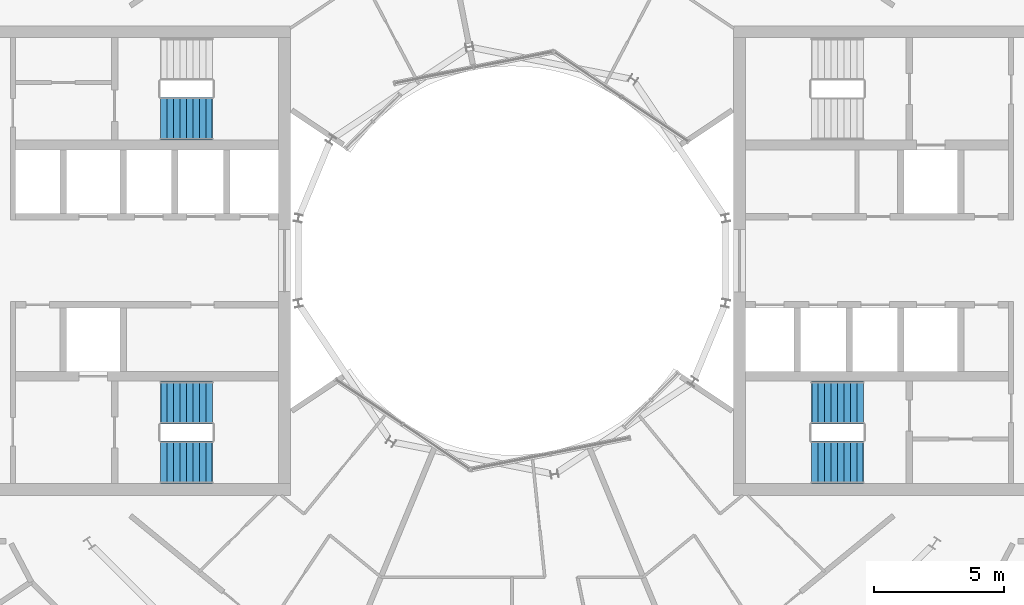
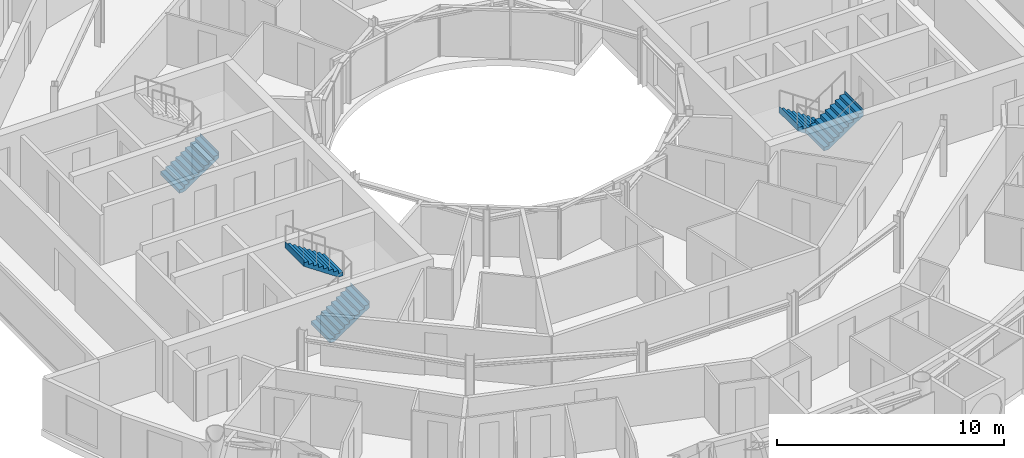
# One storey, part 25 of 27: 5 stair flights, 3 elements without a shape of their own.
"""IFC4 building model written with IfcOpenShell, lengths in metres."""

import ifcopenshell
import ifcopenshell.guid

model = None  # the IFC model being written
_history = None  # IfcOwnerHistory: only IFC2X3 demands one
_inside = {}  # id of a spatial element -> (the spatial element, [elements in it])
_under = {}  # id of a project, library or spatial element -> (it, [spatial elements below it])
_declared = {}  # id of a project -> (the project, [libraries it declares])
_typed = {}  # id of a type object -> (the type object, [elements of that type])
_made_of = {}  # id of a material, layer set ... -> (it, [elements and type objects made of it])


def new_model(schema):
    """Start an empty IFC model of exactly this schema.

    Asked for "IFC4X3", IfcOpenShell would pick the latest addendum, in which some entities
    have other attributes; the version numbers below select the first issue.
    IFC2X3 requires an IfcOwnerHistory on every rooted entity: one is made here for all.
    """
    global model, _history
    if schema == "IFC4X3":
        model = ifcopenshell.file(schema_version=(4, 3, 0, 0))
    else:
        model = ifcopenshell.file(schema=schema)
    _inside.clear()
    _under.clear()
    _declared.clear()
    _typed.clear()
    _made_of.clear()
    _history = None
    if model.schema == "IFC2X3":
        org = make("IfcOrganization", Name="unknown")
        user = make(
            "IfcPersonAndOrganization",
            ThePerson=make("IfcPerson", FamilyName="unknown"),
            TheOrganization=org,
        )
        app = make(
            "IfcApplication",
            ApplicationDeveloper=org,
            Version="unknown",
            ApplicationFullName="unknown",
            ApplicationIdentifier="unknown",
        )
        _history = make(
            "IfcOwnerHistory",
            OwningUser=user,
            OwningApplication=app,
            ChangeAction="ADDED",
            CreationDate=0,
        )
    return model


def make(cls, **values):
    """One entity of the class cls with the attributes given. An attribute that is None is left unset."""
    return model.create_entity(
        cls, **{name: value for name, value in values.items() if value is not None}
    )


def rooted(cls, **values):
    """An entity with a GlobalId (a new one), such as an element, a storey or a relation."""
    return make(cls, GlobalId=ifcopenshell.guid.new(), OwnerHistory=_history, **values)


def si_unit(unit_type, name, prefix=None):
    """IfcSIUnit, for example si_unit("LENGTHUNIT", "METRE", prefix="MILLI")."""
    return make("IfcSIUnit", UnitType=unit_type, Prefix=prefix, Name=name)


def assignment(units):
    """IfcUnitAssignment: the units of a project."""
    return None if units is None else make("IfcUnitAssignment", Units=units)


def point(xyz):
    """IfcCartesianPoint."""
    return None if xyz is None else make("IfcCartesianPoint", Coordinates=xyz)


def direction(xyz):
    """IfcDirection."""
    return None if xyz is None else make("IfcDirection", DirectionRatios=xyz)


def frame(location, z_axis=None, x_axis=None):
    """IfcAxis2Placement3D, a coordinate frame: its origin and axes. An axis left out is left unset."""
    return make(
        "IfcAxis2Placement3D",
        Location=point(location),
        Axis=direction(z_axis),
        RefDirection=direction(x_axis),
    )


def origin():
    """The frame at (0, 0, 0) with its axes left unset."""
    return frame((0.0, 0.0, 0.0))


def place(relative_to, where):
    """IfcLocalPlacement: puts the frame where relative to a parent placement (None: the world)."""
    return make(
        "IfcLocalPlacement", PlacementRelTo=relative_to, RelativePlacement=where
    )


def context(
    kind, dimensions, precision=None, world=None, true_north=None, identifier=None
):
    """IfcGeometricRepresentationContext, for example the 3D "Model" context."""
    return make(
        "IfcGeometricRepresentationContext",
        ContextIdentifier=identifier,
        ContextType=kind,
        CoordinateSpaceDimension=dimensions,
        Precision=precision,
        WorldCoordinateSystem=world,
        TrueNorth=true_north,
    )


def subcontext(parent, identifier, kind, view, scale=None):
    """IfcGeometricRepresentationSubContext, for example "Body" below "Model"."""
    return make(
        "IfcGeometricRepresentationSubContext",
        ContextIdentifier=identifier,
        ContextType=kind,
        ParentContext=parent,
        TargetScale=scale,
        TargetView=view,
    )


def project(units=None, contexts=None):
    """IfcProject with its units and contexts."""
    return rooted(
        "IfcProject",
        Name="project",
        RepresentationContexts=contexts,
        UnitsInContext=assignment(units),
    )


def spatial(cls, under=None, at=None, **own):
    """A site, building, storey or space (cls), placed at a placement, below another one or the project."""
    s = rooted(cls, ObjectPlacement=at, **own)
    if under is not None:
        _under.setdefault(under.id(), (under, []))[1].append(s)
    return s


def point_list(points):
    """IfcCartesianPointList2D or 3D."""
    cls = (
        "IfcCartesianPointList2D" if len(points[0]) == 2 else "IfcCartesianPointList3D"
    )
    return make(cls, CoordList=points)


def triangles(points, corners, closed=None, point_numbers=None):
    """IfcTriangulatedFaceSet: each triangle names its three corners, points numbered from 1."""
    return make(
        "IfcTriangulatedFaceSet",
        Coordinates=point_list(points),
        Closed=closed,
        CoordIndex=corners,
        PnIndex=point_numbers,
    )


def shape(context_of_items, identifier, shape_type, items):
    """IfcShapeRepresentation: the items that make up one representation, for example the "Body"."""
    return make(
        "IfcShapeRepresentation",
        ContextOfItems=context_of_items,
        RepresentationIdentifier=identifier,
        RepresentationType=shape_type,
        Items=items,
    )


def material(Name=None, Category=None):
    """IfcMaterial."""
    return make("IfcMaterial", Name=Name, Category=Category)


def made_of(thing, what):
    """Note that an element or type object is made of a material, layer set ...; save() writes the relation."""
    if what is not None:
        _made_of.setdefault(what.id(), (what, []))[1].append(thing)
    return thing


def type_object(cls, material=None, **own):
    """A type object (cls), such as IfcWallType, which elements share."""
    return made_of(rooted(cls, **own), material)


def element(
    cls,
    number,
    at=None,
    inside=None,
    cuts=None,
    type_object=None,
    material=None,
    context=None,
    identifier="Body",
    shape_type=None,
    held_by="IfcProductDefinitionShape",
    body=None,
    shapes=None,
    **own,
):
    """One element of the class cls, such as IfcWall. Its Tag is "e" and its number.

    at: its placement. inside: the storey or other place that contains it. cuts: it is an
    opening in that element (IfcRelVoidsElement). A single representation is given by context,
    identifier, shape_type and body (its items); several are given by shapes. held_by: the class
    of the entity that holds the representations. save() writes the other relations.
    """
    e = rooted(cls, Tag="e%d" % number, ObjectPlacement=at, **own)
    if body is not None:
        shapes = [shape(context, identifier, shape_type, body)]
    if shapes is not None:
        e.Representation = make(held_by, Representations=shapes)
    if inside is not None:
        _inside.setdefault(inside.id(), (inside, []))[1].append(e)
    if cuts is not None:
        rooted(
            "IfcRelVoidsElement", RelatingBuildingElement=cuts, RelatedOpeningElement=e
        )
    if type_object is not None:
        _typed.setdefault(type_object.id(), (type_object, []))[1].append(e)
    return made_of(e, material)


def aggregate(whole, parts):
    """IfcRelAggregates: a whole, such as a stair, and the parts it consists of."""
    return rooted("IfcRelAggregates", RelatingObject=whole, RelatedObjects=parts)


def save(model, path):
    """Write the relations noted so far, then the file.

    IfcRelAggregates (storeys below a building ...), IfcRelContainedInSpatialStructure (elements
    in a storey), IfcRelDefinesByType, IfcRelAssociatesMaterial and IfcRelDeclares: one each for
    every whole, place, type object, material and project.
    """
    for whole, parts in _under.values():
        aggregate(whole, parts)
    for where, things in _inside.values():
        rooted(
            "IfcRelContainedInSpatialStructure",
            RelatedElements=things,
            RelatingStructure=where,
        )
    for kind, things in _typed.values():
        rooted("IfcRelDefinesByType", RelatedObjects=things, RelatingType=kind)
    for what, things in _made_of.values():
        rooted("IfcRelAssociatesMaterial", RelatedObjects=things, RelatingMaterial=what)
    for by, libraries in _declared.values():
        rooted("IfcRelDeclares", RelatingContext=by, RelatedDefinitions=libraries)
    model.write(path)


model = new_model("IFC4")

# Units and contexts
model_context = context("Model", 3, precision=1e-05, world=origin(), true_north=direction((0.0, 1.0)))
body_context = subcontext(model_context, "Body", "Model", "MODEL_VIEW")
ifc_project = project(units=[si_unit("LENGTHUNIT", "METRE"), si_unit("AREAUNIT", "SQUARE_METRE"), si_unit("VOLUMEUNIT", "CUBIC_METRE"), si_unit("PLANEANGLEUNIT", "RADIAN"), si_unit("MASSUNIT", "GRAM", prefix="KILO")], contexts=[model_context])

# Site, building, storey
site_placement = place(None, origin())
site = spatial("IfcSite", under=ifc_project, at=site_placement, CompositionType="ELEMENT")
building_placement = place(site_placement, origin())
building = spatial("IfcBuilding", under=site, at=building_placement, Name="Maasbend Ring Residences", CompositionType="ELEMENT")
storey_placement = place(building_placement, frame((0.0, 0.0, 199.35009765625)))
storey = spatial("IfcBuildingStorey", under=building, at=storey_placement, Name="L57", CompositionType="ELEMENT", Elevation=199.35009765625)

# Stair, stair flights
ifc_material_1 = material(Name="Concrete C40/50", Category="concrete")
stair_type = type_object("IfcStairType", Name="CORE STAIR 18 RISERS", PredefinedType="HALF_TURN_STAIR", material=ifc_material_1)
stair_1_placement = place(storey_placement, origin())
stair_1 = element("IfcStair", 1, at=stair_1_placement, inside=storey, type_object=stair_type, Name="L57 Exit stair ST-E2", PredefinedType="HALF_TURN_STAIR")
ifc_material_2 = material(Name="Concrete C40/50", Category="concrete")
stair_flight_type = type_object("IfcStairFlightType", Name="CORE STAIR FLIGHT 1650", PredefinedType="STRAIGHT", material=ifc_material_2)
stair_flight_1_placement = place(storey_placement, frame((13.550048828125, -5.47509765625, 0.0), z_axis=(0.0, 0.0, 1.0), x_axis=(-1.0, 0.0, 0.0)))
stair_flight_1 = element("IfcStairFlight", 2, at=stair_flight_1_placement, type_object=stair_flight_type, Name="ST-E2 flight 1", NumberOfRisers=9, NumberOfTreads=8, PredefinedType="STRAIGHT", RiserHeight=0.169444444, TreadLength=0.25, context=body_context, shape_type="Tessellation", body=[
    triangles([(0.24072265625, 0.824951171875, -0.02001953125), (2.0029296875, 0.824951171875, 1.174560546875), (2.0029296875, 0.824951171875, 1.52490234375), (1.989990234375, 0.824951171875, 1.35546875), (1.75, 0.824951171875, 1.35546875), (1.75, 0.824951171875, 1.18603515625), (1.5, 0.824951171875, 1.18603515625), (1.5, 0.824951171875, 1.0166015625), (1.25, 0.824951171875, 1.0166015625), (1.25, 0.824951171875, 0.84716796875), (1.0, 0.824951171875, 0.84716796875), (1.0, 0.824951171875, 0.677734375), (0.75, 0.824951171875, 0.677734375), (0.75, 0.824951171875, 0.50830078125), (0.5, 0.824951171875, 0.50830078125), (0.5, 0.824951171875, 0.3388671875), (0.25, 0.824951171875, 0.3388671875), (0.25, 0.824951171875, 0.16943359375), (0.0, 0.824951171875, 0.16943359375), (0.0, 0.824951171875, 0.0), (-0.0029296875, 0.824951171875, 0.0), (-0.0029296875, 0.824951171875, -0.02001953125), (0.24072265625, 0.27490234375, -0.02001953125), (2.0029296875, 0.27490234375, 1.174560546875), (2.0029296875, 0.27490234375, 1.52490234375), (1.989990234375, 0.27490234375, 1.35546875), (1.75, 0.27490234375, 1.35546875), (1.75, 0.27490234375, 1.18603515625), (1.5, 0.27490234375, 1.18603515625), (1.5, 0.27490234375, 1.0166015625), (1.25, 0.27490234375, 1.0166015625), (1.25, 0.27490234375, 0.84716796875), (1.0, 0.27490234375, 0.84716796875), (1.0, 0.27490234375, 0.677734375), (0.75, 0.27490234375, 0.677734375), (0.75, 0.27490234375, 0.50830078125), (0.5, 0.27490234375, 0.50830078125), (0.5, 0.27490234375, 0.3388671875), (0.25, 0.27490234375, 0.3388671875), (0.25, 0.27490234375, 0.16943359375), (0.0, 0.27490234375, 0.16943359375), (0.0, 0.27490234375, 0.0), (-0.0029296875, 0.27490234375, 0.0), (-0.0029296875, 0.27490234375, -0.02001953125), (0.24072265625, -0.27490234375, -0.02001953125), (2.0029296875, -0.27490234375, 1.174560546875), (2.0029296875, -0.27490234375, 1.52490234375), (1.989990234375, -0.27490234375, 1.35546875), (1.75, -0.27490234375, 1.35546875), (1.75, -0.27490234375, 1.18603515625), (1.5, -0.27490234375, 1.18603515625), (1.5, -0.27490234375, 1.0166015625), (1.25, -0.27490234375, 1.0166015625), (1.25, -0.27490234375, 0.84716796875), (1.0, -0.27490234375, 0.84716796875), (1.0, -0.27490234375, 0.677734375), (0.75, -0.27490234375, 0.677734375), (0.75, -0.27490234375, 0.50830078125), (0.5, -0.27490234375, 0.50830078125), (0.5, -0.27490234375, 0.3388671875), (0.25, -0.27490234375, 0.3388671875), (0.25, -0.27490234375, 0.16943359375), (0.0, -0.27490234375, 0.16943359375), (0.0, -0.27490234375, 0.0), (-0.0029296875, -0.27490234375, 0.0), (-0.0029296875, -0.27490234375, -0.02001953125), (0.24072265625, -0.824951171875, -0.02001953125), (2.0029296875, -0.824951171875, 1.174560546875), (2.0029296875, -0.824951171875, 1.52490234375), (1.989990234375, -0.824951171875, 1.35546875), (1.75, -0.824951171875, 1.35546875), (1.75, -0.824951171875, 1.18603515625), (1.5, -0.824951171875, 1.18603515625), (1.5, -0.824951171875, 1.0166015625), (1.25, -0.824951171875, 1.0166015625), (1.25, -0.824951171875, 0.84716796875), (1.0, -0.824951171875, 0.84716796875), (1.0, -0.824951171875, 0.677734375), (0.75, -0.824951171875, 0.677734375), (0.75, -0.824951171875, 0.50830078125), (0.5, -0.824951171875, 0.50830078125), (0.5, -0.824951171875, 0.3388671875), (0.25, -0.824951171875, 0.3388671875), (0.25, -0.824951171875, 0.16943359375), (0.0, -0.824951171875, 0.16943359375), (0.0, -0.824951171875, 0.0), (-0.0029296875, -0.824951171875, 0.0), (-0.0029296875, -0.824951171875, -0.02001953125)], [[1, 2, 24], [1, 24, 23], [23, 24, 46], [23, 46, 45], [45, 46, 68], [45, 68, 67], [2, 3, 25], [2, 25, 24], [24, 25, 47], [24, 47, 46], [46, 47, 69], [46, 69, 68], [3, 4, 26], [3, 26, 25], [25, 26, 48], [25, 48, 47], [47, 48, 70], [47, 70, 69], [4, 5, 27], [4, 27, 26], [26, 27, 49], [26, 49, 48], [48, 49, 71], [48, 71, 70], [5, 6, 28], [5, 28, 27], [27, 28, 50], [27, 50, 49], [49, 50, 72], [49, 72, 71], [6, 7, 29], [6, 29, 28], [28, 29, 51], [28, 51, 50], [50, 51, 73], [50, 73, 72], [7, 8, 30], [7, 30, 29], [29, 30, 52], [29, 52, 51], [51, 52, 74], [51, 74, 73], [8, 9, 31], [8, 31, 30], [30, 31, 53], [30, 53, 52], [52, 53, 75], [52, 75, 74], [9, 10, 32], [9, 32, 31], [31, 32, 54], [31, 54, 53], [53, 54, 76], [53, 76, 75], [10, 11, 33], [10, 33, 32], [32, 33, 55], [32, 55, 54], [54, 55, 77], [54, 77, 76], [11, 12, 34], [11, 34, 33], [33, 34, 56], [33, 56, 55], [55, 56, 78], [55, 78, 77], [12, 13, 35], [12, 35, 34], [34, 35, 57], [34, 57, 56], [56, 57, 79], [56, 79, 78], [13, 14, 36], [13, 36, 35], [35, 36, 58], [35, 58, 57], [57, 58, 80], [57, 80, 79], [14, 15, 37], [14, 37, 36], [36, 37, 59], [36, 59, 58], [58, 59, 81], [58, 81, 80], [15, 16, 38], [15, 38, 37], [37, 38, 60], [37, 60, 59], [59, 60, 82], [59, 82, 81], [16, 17, 39], [16, 39, 38], [38, 39, 61], [38, 61, 60], [60, 61, 83], [60, 83, 82], [17, 18, 40], [17, 40, 39], [39, 40, 62], [39, 62, 61], [61, 62, 84], [61, 84, 83], [18, 19, 41], [18, 41, 40], [40, 41, 63], [40, 63, 62], [62, 63, 85], [62, 85, 84], [19, 20, 42], [19, 42, 41], [41, 42, 64], [41, 64, 63], [63, 64, 86], [63, 86, 85], [20, 21, 43], [20, 43, 42], [42, 43, 65], [42, 65, 64], [64, 65, 87], [64, 87, 86], [21, 22, 44], [21, 44, 43], [43, 44, 66], [43, 66, 65], [65, 66, 88], [65, 88, 87], [22, 1, 23], [22, 23, 44], [44, 23, 45], [44, 45, 66], [66, 45, 67], [66, 67, 88], [22, 2, 1], [2, 4, 3], [2, 5, 4], [2, 6, 5], [22, 6, 2], [6, 8, 7], [22, 8, 6], [8, 10, 9], [22, 10, 8], [10, 12, 11], [22, 12, 10], [12, 14, 13], [22, 14, 12], [14, 16, 15], [22, 16, 14], [16, 18, 17], [22, 18, 16], [18, 20, 19], [22, 20, 18], [20, 22, 21], [88, 67, 68], [68, 69, 70], [68, 70, 71], [68, 71, 72], [88, 68, 72], [72, 73, 74], [88, 72, 74], [74, 75, 76], [88, 74, 76], [76, 77, 78], [88, 76, 78], [78, 79, 80], [88, 78, 80], [80, 81, 82], [88, 80, 82], [82, 83, 84], [88, 82, 84], [84, 85, 86], [88, 84, 86], [86, 87, 88]], closed=True),
])
stair_flight_2_placement = place(storey_placement, frame((11.550048828125, -7.77490234375, 1.52490234375), z_axis=(0.0, 0.0, 1.0), x_axis=(1.0, 0.0, 0.0)))
stair_flight_2 = element("IfcStairFlight", 3, at=stair_flight_2_placement, type_object=stair_flight_type, Name="ST-E2 flight 2", NumberOfRisers=9, NumberOfTreads=8, PredefinedType="STRAIGHT", RiserHeight=0.169444444, TreadLength=0.25, context=body_context, shape_type="Tessellation", body=[
    triangles([(0.24072265625, 0.824951171875, -0.02001953125), (2.0029296875, 0.824951171875, 1.174560546875), (2.0029296875, 0.824951171875, 1.52490234375), (1.989990234375, 0.824951171875, 1.35546875), (1.75, 0.824951171875, 1.35546875), (1.75, 0.824951171875, 1.18603515625), (1.5, 0.824951171875, 1.18603515625), (1.5, 0.824951171875, 1.0166015625), (1.25, 0.824951171875, 1.0166015625), (1.25, 0.824951171875, 0.84716796875), (1.0, 0.824951171875, 0.84716796875), (1.0, 0.824951171875, 0.677734375), (0.75, 0.824951171875, 0.677734375), (0.75, 0.824951171875, 0.50830078125), (0.5, 0.824951171875, 0.50830078125), (0.5, 0.824951171875, 0.3388671875), (0.25, 0.824951171875, 0.3388671875), (0.25, 0.824951171875, 0.16943359375), (0.0, 0.824951171875, 0.16943359375), (0.0, 0.824951171875, 0.0), (-0.0029296875, 0.824951171875, 0.0), (-0.0029296875, 0.824951171875, -0.02001953125), (0.24072265625, 0.27490234375, -0.02001953125), (2.0029296875, 0.27490234375, 1.174560546875), (2.0029296875, 0.27490234375, 1.52490234375), (1.989990234375, 0.27490234375, 1.35546875), (1.75, 0.27490234375, 1.35546875), (1.75, 0.27490234375, 1.18603515625), (1.5, 0.27490234375, 1.18603515625), (1.5, 0.27490234375, 1.0166015625), (1.25, 0.27490234375, 1.0166015625), (1.25, 0.27490234375, 0.84716796875), (1.0, 0.27490234375, 0.84716796875), (1.0, 0.27490234375, 0.677734375), (0.75, 0.27490234375, 0.677734375), (0.75, 0.27490234375, 0.50830078125), (0.5, 0.27490234375, 0.50830078125), (0.5, 0.27490234375, 0.3388671875), (0.25, 0.27490234375, 0.3388671875), (0.25, 0.27490234375, 0.16943359375), (0.0, 0.27490234375, 0.16943359375), (0.0, 0.27490234375, 0.0), (-0.0029296875, 0.27490234375, 0.0), (-0.0029296875, 0.27490234375, -0.02001953125), (0.24072265625, -0.27490234375, -0.02001953125), (2.0029296875, -0.27490234375, 1.174560546875), (2.0029296875, -0.27490234375, 1.52490234375), (1.989990234375, -0.27490234375, 1.35546875), (1.75, -0.27490234375, 1.35546875), (1.75, -0.27490234375, 1.18603515625), (1.5, -0.27490234375, 1.18603515625), (1.5, -0.27490234375, 1.0166015625), (1.25, -0.27490234375, 1.0166015625), (1.25, -0.27490234375, 0.84716796875), (1.0, -0.27490234375, 0.84716796875), (1.0, -0.27490234375, 0.677734375), (0.75, -0.27490234375, 0.677734375), (0.75, -0.27490234375, 0.50830078125), (0.5, -0.27490234375, 0.50830078125), (0.5, -0.27490234375, 0.3388671875), (0.25, -0.27490234375, 0.3388671875), (0.25, -0.27490234375, 0.16943359375), (0.0, -0.27490234375, 0.16943359375), (0.0, -0.27490234375, 0.0), (-0.0029296875, -0.27490234375, 0.0), (-0.0029296875, -0.27490234375, -0.02001953125), (0.24072265625, -0.824951171875, -0.02001953125), (2.0029296875, -0.824951171875, 1.174560546875), (2.0029296875, -0.824951171875, 1.52490234375), (1.989990234375, -0.824951171875, 1.35546875), (1.75, -0.824951171875, 1.35546875), (1.75, -0.824951171875, 1.18603515625), (1.5, -0.824951171875, 1.18603515625), (1.5, -0.824951171875, 1.0166015625), (1.25, -0.824951171875, 1.0166015625), (1.25, -0.824951171875, 0.84716796875), (1.0, -0.824951171875, 0.84716796875), (1.0, -0.824951171875, 0.677734375), (0.75, -0.824951171875, 0.677734375), (0.75, -0.824951171875, 0.50830078125), (0.5, -0.824951171875, 0.50830078125), (0.5, -0.824951171875, 0.3388671875), (0.25, -0.824951171875, 0.3388671875), (0.25, -0.824951171875, 0.16943359375), (0.0, -0.824951171875, 0.16943359375), (0.0, -0.824951171875, 0.0), (-0.0029296875, -0.824951171875, 0.0), (-0.0029296875, -0.824951171875, -0.02001953125)], [[1, 2, 24], [1, 24, 23], [23, 24, 46], [23, 46, 45], [45, 46, 68], [45, 68, 67], [2, 3, 25], [2, 25, 24], [24, 25, 47], [24, 47, 46], [46, 47, 69], [46, 69, 68], [3, 4, 26], [3, 26, 25], [25, 26, 48], [25, 48, 47], [47, 48, 70], [47, 70, 69], [4, 5, 27], [4, 27, 26], [26, 27, 49], [26, 49, 48], [48, 49, 71], [48, 71, 70], [5, 6, 28], [5, 28, 27], [27, 28, 50], [27, 50, 49], [49, 50, 72], [49, 72, 71], [6, 7, 29], [6, 29, 28], [28, 29, 51], [28, 51, 50], [50, 51, 73], [50, 73, 72], [7, 8, 30], [7, 30, 29], [29, 30, 52], [29, 52, 51], [51, 52, 74], [51, 74, 73], [8, 9, 31], [8, 31, 30], [30, 31, 53], [30, 53, 52], [52, 53, 75], [52, 75, 74], [9, 10, 32], [9, 32, 31], [31, 32, 54], [31, 54, 53], [53, 54, 76], [53, 76, 75], [10, 11, 33], [10, 33, 32], [32, 33, 55], [32, 55, 54], [54, 55, 77], [54, 77, 76], [11, 12, 34], [11, 34, 33], [33, 34, 56], [33, 56, 55], [55, 56, 78], [55, 78, 77], [12, 13, 35], [12, 35, 34], [34, 35, 57], [34, 57, 56], [56, 57, 79], [56, 79, 78], [13, 14, 36], [13, 36, 35], [35, 36, 58], [35, 58, 57], [57, 58, 80], [57, 80, 79], [14, 15, 37], [14, 37, 36], [36, 37, 59], [36, 59, 58], [58, 59, 81], [58, 81, 80], [15, 16, 38], [15, 38, 37], [37, 38, 60], [37, 60, 59], [59, 60, 82], [59, 82, 81], [16, 17, 39], [16, 39, 38], [38, 39, 61], [38, 61, 60], [60, 61, 83], [60, 83, 82], [17, 18, 40], [17, 40, 39], [39, 40, 62], [39, 62, 61], [61, 62, 84], [61, 84, 83], [18, 19, 41], [18, 41, 40], [40, 41, 63], [40, 63, 62], [62, 63, 85], [62, 85, 84], [19, 20, 42], [19, 42, 41], [41, 42, 64], [41, 64, 63], [63, 64, 86], [63, 86, 85], [20, 21, 43], [20, 43, 42], [42, 43, 65], [42, 65, 64], [64, 65, 87], [64, 87, 86], [21, 22, 44], [21, 44, 43], [43, 44, 66], [43, 66, 65], [65, 66, 88], [65, 88, 87], [22, 1, 23], [22, 23, 44], [44, 23, 45], [44, 45, 66], [66, 45, 67], [66, 67, 88], [22, 2, 1], [2, 4, 3], [2, 5, 4], [2, 6, 5], [22, 6, 2], [6, 8, 7], [22, 8, 6], [8, 10, 9], [22, 10, 8], [10, 12, 11], [22, 12, 10], [12, 14, 13], [22, 14, 12], [14, 16, 15], [22, 16, 14], [16, 18, 17], [22, 18, 16], [18, 20, 19], [22, 20, 18], [20, 22, 21], [88, 67, 68], [68, 69, 70], [68, 70, 71], [68, 71, 72], [88, 68, 72], [72, 73, 74], [88, 72, 74], [74, 75, 76], [88, 74, 76], [76, 77, 78], [88, 76, 78], [78, 79, 80], [88, 78, 80], [80, 81, 82], [88, 80, 82], [82, 83, 84], [88, 82, 84], [84, 85, 86], [88, 84, 86], [86, 87, 88]], closed=True),
])
aggregate(stair_1, [stair_flight_1, stair_flight_2])

stair_2_placement = place(storey_placement, origin())
stair_2 = element("IfcStair", 4, at=stair_2_placement, inside=storey, type_object=stair_type, Name="L57 Exit stair ST-W1", PredefinedType="HALF_TURN_STAIR")
stair_flight_3_placement = place(storey_placement, frame((-13.550048828125, -7.77490234375, 0.0), z_axis=(0.0, 0.0, 1.0), x_axis=(1.0, 0.0, 0.0)))
stair_flight_3 = element("IfcStairFlight", 5, at=stair_flight_3_placement, type_object=stair_flight_type, Name="ST-W1 flight 1", NumberOfRisers=9, NumberOfTreads=8, PredefinedType="STRAIGHT", RiserHeight=0.169444444, TreadLength=0.25, context=body_context, shape_type="Tessellation", body=[
    triangles([(0.24072265625, 0.824951171875, -0.02001953125), (2.0029296875, 0.824951171875, 1.174560546875), (2.0029296875, 0.824951171875, 1.52490234375), (1.989990234375, 0.824951171875, 1.35546875), (1.75, 0.824951171875, 1.35546875), (1.75, 0.824951171875, 1.18603515625), (1.5, 0.824951171875, 1.18603515625), (1.5, 0.824951171875, 1.0166015625), (1.25, 0.824951171875, 1.0166015625), (1.25, 0.824951171875, 0.84716796875), (1.0, 0.824951171875, 0.84716796875), (1.0, 0.824951171875, 0.677734375), (0.75, 0.824951171875, 0.677734375), (0.75, 0.824951171875, 0.50830078125), (0.5, 0.824951171875, 0.50830078125), (0.5, 0.824951171875, 0.3388671875), (0.25, 0.824951171875, 0.3388671875), (0.25, 0.824951171875, 0.16943359375), (0.0, 0.824951171875, 0.16943359375), (0.0, 0.824951171875, 0.0), (-0.0029296875, 0.824951171875, 0.0), (-0.0029296875, 0.824951171875, -0.02001953125), (0.24072265625, 0.27490234375, -0.02001953125), (2.0029296875, 0.27490234375, 1.174560546875), (2.0029296875, 0.27490234375, 1.52490234375), (1.989990234375, 0.27490234375, 1.35546875), (1.75, 0.27490234375, 1.35546875), (1.75, 0.27490234375, 1.18603515625), (1.5, 0.27490234375, 1.18603515625), (1.5, 0.27490234375, 1.0166015625), (1.25, 0.27490234375, 1.0166015625), (1.25, 0.27490234375, 0.84716796875), (1.0, 0.27490234375, 0.84716796875), (1.0, 0.27490234375, 0.677734375), (0.75, 0.27490234375, 0.677734375), (0.75, 0.27490234375, 0.50830078125), (0.5, 0.27490234375, 0.50830078125), (0.5, 0.27490234375, 0.3388671875), (0.25, 0.27490234375, 0.3388671875), (0.25, 0.27490234375, 0.16943359375), (0.0, 0.27490234375, 0.16943359375), (0.0, 0.27490234375, 0.0), (-0.0029296875, 0.27490234375, 0.0), (-0.0029296875, 0.27490234375, -0.02001953125), (0.24072265625, -0.27490234375, -0.02001953125), (2.0029296875, -0.27490234375, 1.174560546875), (2.0029296875, -0.27490234375, 1.52490234375), (1.989990234375, -0.27490234375, 1.35546875), (1.75, -0.27490234375, 1.35546875), (1.75, -0.27490234375, 1.18603515625), (1.5, -0.27490234375, 1.18603515625), (1.5, -0.27490234375, 1.0166015625), (1.25, -0.27490234375, 1.0166015625), (1.25, -0.27490234375, 0.84716796875), (1.0, -0.27490234375, 0.84716796875), (1.0, -0.27490234375, 0.677734375), (0.75, -0.27490234375, 0.677734375), (0.75, -0.27490234375, 0.50830078125), (0.5, -0.27490234375, 0.50830078125), (0.5, -0.27490234375, 0.3388671875), (0.25, -0.27490234375, 0.3388671875), (0.25, -0.27490234375, 0.16943359375), (0.0, -0.27490234375, 0.16943359375), (0.0, -0.27490234375, 0.0), (-0.0029296875, -0.27490234375, 0.0), (-0.0029296875, -0.27490234375, -0.02001953125), (0.24072265625, -0.824951171875, -0.02001953125), (2.0029296875, -0.824951171875, 1.174560546875), (2.0029296875, -0.824951171875, 1.52490234375), (1.989990234375, -0.824951171875, 1.35546875), (1.75, -0.824951171875, 1.35546875), (1.75, -0.824951171875, 1.18603515625), (1.5, -0.824951171875, 1.18603515625), (1.5, -0.824951171875, 1.0166015625), (1.25, -0.824951171875, 1.0166015625), (1.25, -0.824951171875, 0.84716796875), (1.0, -0.824951171875, 0.84716796875), (1.0, -0.824951171875, 0.677734375), (0.75, -0.824951171875, 0.677734375), (0.75, -0.824951171875, 0.50830078125), (0.5, -0.824951171875, 0.50830078125), (0.5, -0.824951171875, 0.3388671875), (0.25, -0.824951171875, 0.3388671875), (0.25, -0.824951171875, 0.16943359375), (0.0, -0.824951171875, 0.16943359375), (0.0, -0.824951171875, 0.0), (-0.0029296875, -0.824951171875, 0.0), (-0.0029296875, -0.824951171875, -0.02001953125)], [[1, 2, 24], [1, 24, 23], [23, 24, 46], [23, 46, 45], [45, 46, 68], [45, 68, 67], [2, 3, 25], [2, 25, 24], [24, 25, 47], [24, 47, 46], [46, 47, 69], [46, 69, 68], [3, 4, 26], [3, 26, 25], [25, 26, 48], [25, 48, 47], [47, 48, 70], [47, 70, 69], [4, 5, 27], [4, 27, 26], [26, 27, 49], [26, 49, 48], [48, 49, 71], [48, 71, 70], [5, 6, 28], [5, 28, 27], [27, 28, 50], [27, 50, 49], [49, 50, 72], [49, 72, 71], [6, 7, 29], [6, 29, 28], [28, 29, 51], [28, 51, 50], [50, 51, 73], [50, 73, 72], [7, 8, 30], [7, 30, 29], [29, 30, 52], [29, 52, 51], [51, 52, 74], [51, 74, 73], [8, 9, 31], [8, 31, 30], [30, 31, 53], [30, 53, 52], [52, 53, 75], [52, 75, 74], [9, 10, 32], [9, 32, 31], [31, 32, 54], [31, 54, 53], [53, 54, 76], [53, 76, 75], [10, 11, 33], [10, 33, 32], [32, 33, 55], [32, 55, 54], [54, 55, 77], [54, 77, 76], [11, 12, 34], [11, 34, 33], [33, 34, 56], [33, 56, 55], [55, 56, 78], [55, 78, 77], [12, 13, 35], [12, 35, 34], [34, 35, 57], [34, 57, 56], [56, 57, 79], [56, 79, 78], [13, 14, 36], [13, 36, 35], [35, 36, 58], [35, 58, 57], [57, 58, 80], [57, 80, 79], [14, 15, 37], [14, 37, 36], [36, 37, 59], [36, 59, 58], [58, 59, 81], [58, 81, 80], [15, 16, 38], [15, 38, 37], [37, 38, 60], [37, 60, 59], [59, 60, 82], [59, 82, 81], [16, 17, 39], [16, 39, 38], [38, 39, 61], [38, 61, 60], [60, 61, 83], [60, 83, 82], [17, 18, 40], [17, 40, 39], [39, 40, 62], [39, 62, 61], [61, 62, 84], [61, 84, 83], [18, 19, 41], [18, 41, 40], [40, 41, 63], [40, 63, 62], [62, 63, 85], [62, 85, 84], [19, 20, 42], [19, 42, 41], [41, 42, 64], [41, 64, 63], [63, 64, 86], [63, 86, 85], [20, 21, 43], [20, 43, 42], [42, 43, 65], [42, 65, 64], [64, 65, 87], [64, 87, 86], [21, 22, 44], [21, 44, 43], [43, 44, 66], [43, 66, 65], [65, 66, 88], [65, 88, 87], [22, 1, 23], [22, 23, 44], [44, 23, 45], [44, 45, 66], [66, 45, 67], [66, 67, 88], [22, 2, 1], [2, 4, 3], [2, 5, 4], [2, 6, 5], [22, 6, 2], [6, 8, 7], [22, 8, 6], [8, 10, 9], [22, 10, 8], [10, 12, 11], [22, 12, 10], [12, 14, 13], [22, 14, 12], [14, 16, 15], [22, 16, 14], [16, 18, 17], [22, 18, 16], [18, 20, 19], [22, 20, 18], [20, 22, 21], [88, 67, 68], [68, 69, 70], [68, 70, 71], [68, 71, 72], [88, 68, 72], [72, 73, 74], [88, 72, 74], [74, 75, 76], [88, 74, 76], [76, 77, 78], [88, 76, 78], [78, 79, 80], [88, 78, 80], [80, 81, 82], [88, 80, 82], [82, 83, 84], [88, 82, 84], [84, 85, 86], [88, 84, 86], [86, 87, 88]], closed=True),
])
stair_flight_4_placement = place(storey_placement, frame((-11.550048828125, -5.47509765625, 1.52490234375), z_axis=(0.0, 0.0, 1.0), x_axis=(-1.0, 0.0, 0.0)))
stair_flight_4 = element("IfcStairFlight", 6, at=stair_flight_4_placement, type_object=stair_flight_type, Name="ST-W1 flight 2", NumberOfRisers=9, NumberOfTreads=8, PredefinedType="STRAIGHT", RiserHeight=0.169444444, TreadLength=0.25, context=body_context, shape_type="Tessellation", body=[
    triangles([(0.24072265625, 0.824951171875, -0.02001953125), (2.0029296875, 0.824951171875, 1.174560546875), (2.0029296875, 0.824951171875, 1.52490234375), (1.989990234375, 0.824951171875, 1.35546875), (1.75, 0.824951171875, 1.35546875), (1.75, 0.824951171875, 1.18603515625), (1.5, 0.824951171875, 1.18603515625), (1.5, 0.824951171875, 1.0166015625), (1.25, 0.824951171875, 1.0166015625), (1.25, 0.824951171875, 0.84716796875), (1.0, 0.824951171875, 0.84716796875), (1.0, 0.824951171875, 0.677734375), (0.75, 0.824951171875, 0.677734375), (0.75, 0.824951171875, 0.50830078125), (0.5, 0.824951171875, 0.50830078125), (0.5, 0.824951171875, 0.3388671875), (0.25, 0.824951171875, 0.3388671875), (0.25, 0.824951171875, 0.16943359375), (0.0, 0.824951171875, 0.16943359375), (0.0, 0.824951171875, 0.0), (-0.0029296875, 0.824951171875, 0.0), (-0.0029296875, 0.824951171875, -0.02001953125), (0.24072265625, 0.27490234375, -0.02001953125), (2.0029296875, 0.27490234375, 1.174560546875), (2.0029296875, 0.27490234375, 1.52490234375), (1.989990234375, 0.27490234375, 1.35546875), (1.75, 0.27490234375, 1.35546875), (1.75, 0.27490234375, 1.18603515625), (1.5, 0.27490234375, 1.18603515625), (1.5, 0.27490234375, 1.0166015625), (1.25, 0.27490234375, 1.0166015625), (1.25, 0.27490234375, 0.84716796875), (1.0, 0.27490234375, 0.84716796875), (1.0, 0.27490234375, 0.677734375), (0.75, 0.27490234375, 0.677734375), (0.75, 0.27490234375, 0.50830078125), (0.5, 0.27490234375, 0.50830078125), (0.5, 0.27490234375, 0.3388671875), (0.25, 0.27490234375, 0.3388671875), (0.25, 0.27490234375, 0.16943359375), (0.0, 0.27490234375, 0.16943359375), (0.0, 0.27490234375, 0.0), (-0.0029296875, 0.27490234375, 0.0), (-0.0029296875, 0.27490234375, -0.02001953125), (0.24072265625, -0.27490234375, -0.02001953125), (2.0029296875, -0.27490234375, 1.174560546875), (2.0029296875, -0.27490234375, 1.52490234375), (1.989990234375, -0.27490234375, 1.35546875), (1.75, -0.27490234375, 1.35546875), (1.75, -0.27490234375, 1.18603515625), (1.5, -0.27490234375, 1.18603515625), (1.5, -0.27490234375, 1.0166015625), (1.25, -0.27490234375, 1.0166015625), (1.25, -0.27490234375, 0.84716796875), (1.0, -0.27490234375, 0.84716796875), (1.0, -0.27490234375, 0.677734375), (0.75, -0.27490234375, 0.677734375), (0.75, -0.27490234375, 0.50830078125), (0.5, -0.27490234375, 0.50830078125), (0.5, -0.27490234375, 0.3388671875), (0.25, -0.27490234375, 0.3388671875), (0.25, -0.27490234375, 0.16943359375), (0.0, -0.27490234375, 0.16943359375), (0.0, -0.27490234375, 0.0), (-0.0029296875, -0.27490234375, 0.0), (-0.0029296875, -0.27490234375, -0.02001953125), (0.24072265625, -0.824951171875, -0.02001953125), (2.0029296875, -0.824951171875, 1.174560546875), (2.0029296875, -0.824951171875, 1.52490234375), (1.989990234375, -0.824951171875, 1.35546875), (1.75, -0.824951171875, 1.35546875), (1.75, -0.824951171875, 1.18603515625), (1.5, -0.824951171875, 1.18603515625), (1.5, -0.824951171875, 1.0166015625), (1.25, -0.824951171875, 1.0166015625), (1.25, -0.824951171875, 0.84716796875), (1.0, -0.824951171875, 0.84716796875), (1.0, -0.824951171875, 0.677734375), (0.75, -0.824951171875, 0.677734375), (0.75, -0.824951171875, 0.50830078125), (0.5, -0.824951171875, 0.50830078125), (0.5, -0.824951171875, 0.3388671875), (0.25, -0.824951171875, 0.3388671875), (0.25, -0.824951171875, 0.16943359375), (0.0, -0.824951171875, 0.16943359375), (0.0, -0.824951171875, 0.0), (-0.0029296875, -0.824951171875, 0.0), (-0.0029296875, -0.824951171875, -0.02001953125)], [[1, 2, 24], [1, 24, 23], [23, 24, 46], [23, 46, 45], [45, 46, 68], [45, 68, 67], [2, 3, 25], [2, 25, 24], [24, 25, 47], [24, 47, 46], [46, 47, 69], [46, 69, 68], [3, 4, 26], [3, 26, 25], [25, 26, 48], [25, 48, 47], [47, 48, 70], [47, 70, 69], [4, 5, 27], [4, 27, 26], [26, 27, 49], [26, 49, 48], [48, 49, 71], [48, 71, 70], [5, 6, 28], [5, 28, 27], [27, 28, 50], [27, 50, 49], [49, 50, 72], [49, 72, 71], [6, 7, 29], [6, 29, 28], [28, 29, 51], [28, 51, 50], [50, 51, 73], [50, 73, 72], [7, 8, 30], [7, 30, 29], [29, 30, 52], [29, 52, 51], [51, 52, 74], [51, 74, 73], [8, 9, 31], [8, 31, 30], [30, 31, 53], [30, 53, 52], [52, 53, 75], [52, 75, 74], [9, 10, 32], [9, 32, 31], [31, 32, 54], [31, 54, 53], [53, 54, 76], [53, 76, 75], [10, 11, 33], [10, 33, 32], [32, 33, 55], [32, 55, 54], [54, 55, 77], [54, 77, 76], [11, 12, 34], [11, 34, 33], [33, 34, 56], [33, 56, 55], [55, 56, 78], [55, 78, 77], [12, 13, 35], [12, 35, 34], [34, 35, 57], [34, 57, 56], [56, 57, 79], [56, 79, 78], [13, 14, 36], [13, 36, 35], [35, 36, 58], [35, 58, 57], [57, 58, 80], [57, 80, 79], [14, 15, 37], [14, 37, 36], [36, 37, 59], [36, 59, 58], [58, 59, 81], [58, 81, 80], [15, 16, 38], [15, 38, 37], [37, 38, 60], [37, 60, 59], [59, 60, 82], [59, 82, 81], [16, 17, 39], [16, 39, 38], [38, 39, 61], [38, 61, 60], [60, 61, 83], [60, 83, 82], [17, 18, 40], [17, 40, 39], [39, 40, 62], [39, 62, 61], [61, 62, 84], [61, 84, 83], [18, 19, 41], [18, 41, 40], [40, 41, 63], [40, 63, 62], [62, 63, 85], [62, 85, 84], [19, 20, 42], [19, 42, 41], [41, 42, 64], [41, 64, 63], [63, 64, 86], [63, 86, 85], [20, 21, 43], [20, 43, 42], [42, 43, 65], [42, 65, 64], [64, 65, 87], [64, 87, 86], [21, 22, 44], [21, 44, 43], [43, 44, 66], [43, 66, 65], [65, 66, 88], [65, 88, 87], [22, 1, 23], [22, 23, 44], [44, 23, 45], [44, 45, 66], [66, 45, 67], [66, 67, 88], [22, 2, 1], [2, 4, 3], [2, 5, 4], [2, 6, 5], [22, 6, 2], [6, 8, 7], [22, 8, 6], [8, 10, 9], [22, 10, 8], [10, 12, 11], [22, 12, 10], [12, 14, 13], [22, 14, 12], [14, 16, 15], [22, 16, 14], [16, 18, 17], [22, 18, 16], [18, 20, 19], [22, 20, 18], [20, 22, 21], [88, 67, 68], [68, 69, 70], [68, 70, 71], [68, 71, 72], [88, 68, 72], [72, 73, 74], [88, 72, 74], [74, 75, 76], [88, 74, 76], [76, 77, 78], [88, 76, 78], [78, 79, 80], [88, 78, 80], [80, 81, 82], [88, 80, 82], [82, 83, 84], [88, 82, 84], [84, 85, 86], [88, 84, 86], [86, 87, 88]], closed=True),
])
aggregate(stair_2, [stair_flight_3, stair_flight_4])

# Stair, stair flight
stair_3_placement = place(storey_placement, origin())
stair_3 = element("IfcStair", 7, at=stair_3_placement, inside=storey, type_object=stair_type, Name="L57 Exit stair ST-W2", PredefinedType="HALF_TURN_STAIR")
stair_flight_5_placement = place(storey_placement, frame((-13.550048828125, 5.47509765625, 0.0), z_axis=(0.0, 0.0, 1.0), x_axis=(1.0, 0.0, 0.0)))
stair_flight_5 = element("IfcStairFlight", 8, at=stair_flight_5_placement, type_object=stair_flight_type, Name="ST-W2 flight 1", NumberOfRisers=9, NumberOfTreads=8, PredefinedType="STRAIGHT", RiserHeight=0.169444444, TreadLength=0.25, context=body_context, shape_type="Tessellation", body=[
    triangles([(0.24072265625, 0.824951171875, -0.02001953125), (2.0029296875, 0.824951171875, 1.174560546875), (2.0029296875, 0.824951171875, 1.52490234375), (1.989990234375, 0.824951171875, 1.35546875), (1.75, 0.824951171875, 1.35546875), (1.75, 0.824951171875, 1.18603515625), (1.5, 0.824951171875, 1.18603515625), (1.5, 0.824951171875, 1.0166015625), (1.25, 0.824951171875, 1.0166015625), (1.25, 0.824951171875, 0.84716796875), (1.0, 0.824951171875, 0.84716796875), (1.0, 0.824951171875, 0.677734375), (0.75, 0.824951171875, 0.677734375), (0.75, 0.824951171875, 0.50830078125), (0.5, 0.824951171875, 0.50830078125), (0.5, 0.824951171875, 0.3388671875), (0.25, 0.824951171875, 0.3388671875), (0.25, 0.824951171875, 0.16943359375), (0.0, 0.824951171875, 0.16943359375), (0.0, 0.824951171875, 0.0), (-0.0029296875, 0.824951171875, 0.0), (-0.0029296875, 0.824951171875, -0.02001953125), (0.24072265625, 0.27490234375, -0.02001953125), (2.0029296875, 0.27490234375, 1.174560546875), (2.0029296875, 0.27490234375, 1.52490234375), (1.989990234375, 0.27490234375, 1.35546875), (1.75, 0.27490234375, 1.35546875), (1.75, 0.27490234375, 1.18603515625), (1.5, 0.27490234375, 1.18603515625), (1.5, 0.27490234375, 1.0166015625), (1.25, 0.27490234375, 1.0166015625), (1.25, 0.27490234375, 0.84716796875), (1.0, 0.27490234375, 0.84716796875), (1.0, 0.27490234375, 0.677734375), (0.75, 0.27490234375, 0.677734375), (0.75, 0.27490234375, 0.50830078125), (0.5, 0.27490234375, 0.50830078125), (0.5, 0.27490234375, 0.3388671875), (0.25, 0.27490234375, 0.3388671875), (0.25, 0.27490234375, 0.16943359375), (0.0, 0.27490234375, 0.16943359375), (0.0, 0.27490234375, 0.0), (-0.0029296875, 0.27490234375, 0.0), (-0.0029296875, 0.27490234375, -0.02001953125), (0.24072265625, -0.27490234375, -0.02001953125), (2.0029296875, -0.27490234375, 1.174560546875), (2.0029296875, -0.27490234375, 1.52490234375), (1.989990234375, -0.27490234375, 1.35546875), (1.75, -0.27490234375, 1.35546875), (1.75, -0.27490234375, 1.18603515625), (1.5, -0.27490234375, 1.18603515625), (1.5, -0.27490234375, 1.0166015625), (1.25, -0.27490234375, 1.0166015625), (1.25, -0.27490234375, 0.84716796875), (1.0, -0.27490234375, 0.84716796875), (1.0, -0.27490234375, 0.677734375), (0.75, -0.27490234375, 0.677734375), (0.75, -0.27490234375, 0.50830078125), (0.5, -0.27490234375, 0.50830078125), (0.5, -0.27490234375, 0.3388671875), (0.25, -0.27490234375, 0.3388671875), (0.25, -0.27490234375, 0.16943359375), (0.0, -0.27490234375, 0.16943359375), (0.0, -0.27490234375, 0.0), (-0.0029296875, -0.27490234375, 0.0), (-0.0029296875, -0.27490234375, -0.02001953125), (0.24072265625, -0.824951171875, -0.02001953125), (2.0029296875, -0.824951171875, 1.174560546875), (2.0029296875, -0.824951171875, 1.52490234375), (1.989990234375, -0.824951171875, 1.35546875), (1.75, -0.824951171875, 1.35546875), (1.75, -0.824951171875, 1.18603515625), (1.5, -0.824951171875, 1.18603515625), (1.5, -0.824951171875, 1.0166015625), (1.25, -0.824951171875, 1.0166015625), (1.25, -0.824951171875, 0.84716796875), (1.0, -0.824951171875, 0.84716796875), (1.0, -0.824951171875, 0.677734375), (0.75, -0.824951171875, 0.677734375), (0.75, -0.824951171875, 0.50830078125), (0.5, -0.824951171875, 0.50830078125), (0.5, -0.824951171875, 0.3388671875), (0.25, -0.824951171875, 0.3388671875), (0.25, -0.824951171875, 0.16943359375), (0.0, -0.824951171875, 0.16943359375), (0.0, -0.824951171875, 0.0), (-0.0029296875, -0.824951171875, 0.0), (-0.0029296875, -0.824951171875, -0.02001953125)], [[1, 2, 24], [1, 24, 23], [23, 24, 46], [23, 46, 45], [45, 46, 68], [45, 68, 67], [2, 3, 25], [2, 25, 24], [24, 25, 47], [24, 47, 46], [46, 47, 69], [46, 69, 68], [3, 4, 26], [3, 26, 25], [25, 26, 48], [25, 48, 47], [47, 48, 70], [47, 70, 69], [4, 5, 27], [4, 27, 26], [26, 27, 49], [26, 49, 48], [48, 49, 71], [48, 71, 70], [5, 6, 28], [5, 28, 27], [27, 28, 50], [27, 50, 49], [49, 50, 72], [49, 72, 71], [6, 7, 29], [6, 29, 28], [28, 29, 51], [28, 51, 50], [50, 51, 73], [50, 73, 72], [7, 8, 30], [7, 30, 29], [29, 30, 52], [29, 52, 51], [51, 52, 74], [51, 74, 73], [8, 9, 31], [8, 31, 30], [30, 31, 53], [30, 53, 52], [52, 53, 75], [52, 75, 74], [9, 10, 32], [9, 32, 31], [31, 32, 54], [31, 54, 53], [53, 54, 76], [53, 76, 75], [10, 11, 33], [10, 33, 32], [32, 33, 55], [32, 55, 54], [54, 55, 77], [54, 77, 76], [11, 12, 34], [11, 34, 33], [33, 34, 56], [33, 56, 55], [55, 56, 78], [55, 78, 77], [12, 13, 35], [12, 35, 34], [34, 35, 57], [34, 57, 56], [56, 57, 79], [56, 79, 78], [13, 14, 36], [13, 36, 35], [35, 36, 58], [35, 58, 57], [57, 58, 80], [57, 80, 79], [14, 15, 37], [14, 37, 36], [36, 37, 59], [36, 59, 58], [58, 59, 81], [58, 81, 80], [15, 16, 38], [15, 38, 37], [37, 38, 60], [37, 60, 59], [59, 60, 82], [59, 82, 81], [16, 17, 39], [16, 39, 38], [38, 39, 61], [38, 61, 60], [60, 61, 83], [60, 83, 82], [17, 18, 40], [17, 40, 39], [39, 40, 62], [39, 62, 61], [61, 62, 84], [61, 84, 83], [18, 19, 41], [18, 41, 40], [40, 41, 63], [40, 63, 62], [62, 63, 85], [62, 85, 84], [19, 20, 42], [19, 42, 41], [41, 42, 64], [41, 64, 63], [63, 64, 86], [63, 86, 85], [20, 21, 43], [20, 43, 42], [42, 43, 65], [42, 65, 64], [64, 65, 87], [64, 87, 86], [21, 22, 44], [21, 44, 43], [43, 44, 66], [43, 66, 65], [65, 66, 88], [65, 88, 87], [22, 1, 23], [22, 23, 44], [44, 23, 45], [44, 45, 66], [66, 45, 67], [66, 67, 88], [22, 2, 1], [2, 4, 3], [2, 5, 4], [2, 6, 5], [22, 6, 2], [6, 8, 7], [22, 8, 6], [8, 10, 9], [22, 10, 8], [10, 12, 11], [22, 12, 10], [12, 14, 13], [22, 14, 12], [14, 16, 15], [22, 16, 14], [16, 18, 17], [22, 18, 16], [18, 20, 19], [22, 20, 18], [20, 22, 21], [88, 67, 68], [68, 69, 70], [68, 70, 71], [68, 71, 72], [88, 68, 72], [72, 73, 74], [88, 72, 74], [74, 75, 76], [88, 74, 76], [76, 77, 78], [88, 76, 78], [78, 79, 80], [88, 78, 80], [80, 81, 82], [88, 80, 82], [82, 83, 84], [88, 82, 84], [84, 85, 86], [88, 84, 86], [86, 87, 88]], closed=True),
])
aggregate(stair_3, [stair_flight_5])

save(model, "model.ifc")
